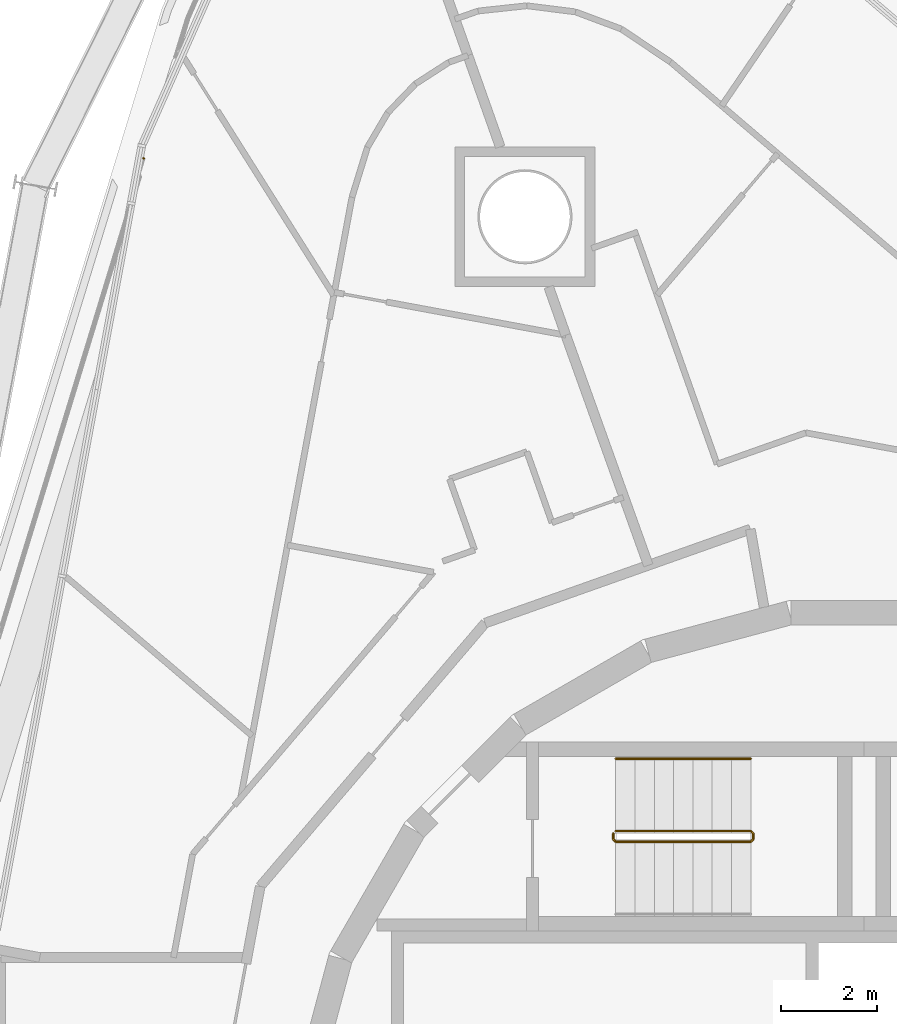
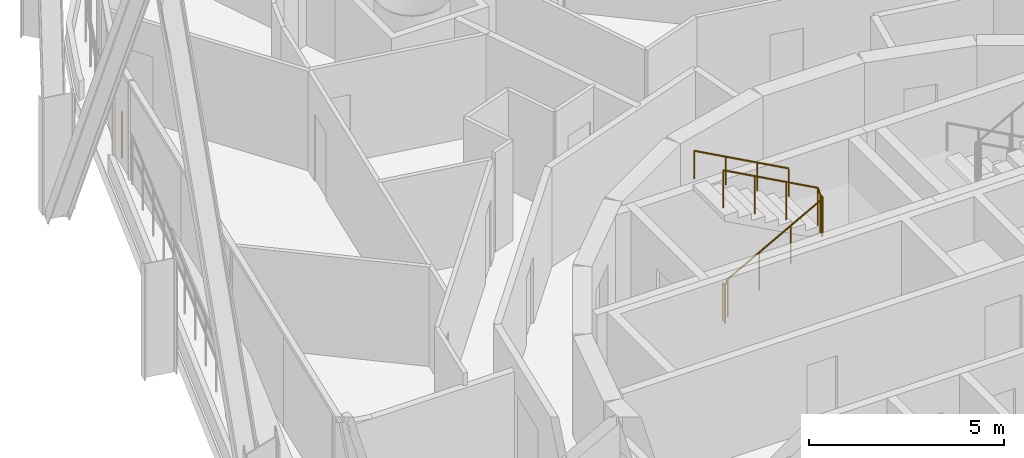
# One storey, part 20 of 25: 3 railings.
"""IFC4 building model written with IfcOpenShell, lengths in metres."""

from ifc_helpers import new_model, si_unit, direction, frame, origin, origin_2d, place, context, subcontext, project, spatial, circle, extrude, material, type_object, element, save


model = new_model("IFC4")

# Units and contexts
model_context = context("Model", 3, precision=1e-05, world=origin(), true_north=direction((0.0, 1.0)))
body_context = subcontext(model_context, "Body", "Model", "MODEL_VIEW")
ifc_project = project(units=[si_unit("LENGTHUNIT", "METRE"), si_unit("AREAUNIT", "SQUARE_METRE"), si_unit("VOLUMEUNIT", "CUBIC_METRE"), si_unit("PLANEANGLEUNIT", "RADIAN"), si_unit("MASSUNIT", "GRAM", prefix="KILO")], contexts=[model_context])

# Site, building, storey
site_placement = place(None, origin())
site = spatial("IfcSite", under=ifc_project, at=site_placement, CompositionType="ELEMENT")
building_placement = place(site_placement, origin())
building = spatial("IfcBuilding", under=site, at=building_placement, Name="Spindle Arch Residences", CompositionType="ELEMENT")
storey_placement = place(building_placement, frame((0.0, 0.0, 151.699951171875)))
storey = spatial("IfcBuildingStorey", under=building, at=storey_placement, Name="L37", CompositionType="ELEMENT", Elevation=151.699951171875)

# Railings
ifc_material_1 = material(Name="Steel, painted", Category="steel")
railing_type_1 = type_object("IfcRailingType", Name="Stair guard 1100", PredefinedType="GUARDRAIL", material=ifc_material_1)
railing_1_placement = place(storey_placement, frame((-5.14990234375, 7.1201171875, 3.5)))
element("IfcRailing", 1, at=railing_1_placement, inside=storey, type_object=railing_type_1, Name="L37 ST2 stair guard 1", PredefinedType="GUARDRAIL", context=body_context, shape_type="SweptSolid", body=[
    extrude(circle(Radius=0.02392578125, at=origin_2d()), frame((0.0, 0.0, 1.17578125), z_axis=(0.877357048833, 0.0, -0.479838106931), x_axis=(0.0, 1.0, 0.0)), (0.0, 0.0, 1.0), 3.191162109375),
    extrude(circle(Radius=0.02392578125, at=origin_2d()), frame((2.7998046875, 0.0, -0.35546875), z_axis=(0.217683172539, -0.217683172539, -0.951434744366), x_axis=(0.707106781187, 0.707106781187, 0.0)), (0.0, 0.0, 1.0), 0.22998046875),
    extrude(circle(Radius=0.02392578125, at=origin_2d()), frame((2.849853515625, -0.050048828125, -0.57421875), z_axis=(0.0, -1.0, 0.0), x_axis=(1.0, 0.0, 0.0)), (0.0, 0.0, 1.0), 0.1201171875),
    extrude(circle(Radius=0.02392578125, at=origin_2d()), frame((2.849853515625, -0.170166015625, -0.57421875), z_axis=(-0.707106781187, -0.707106781187, 0.0), x_axis=(0.707106781187, -0.707106781187, 0.0)), (0.0, 0.0, 1.0), 0.07080078125),
    extrude(circle(Radius=0.02392578125, at=origin_2d()), frame((2.7998046875, -0.22021484375, -0.57421875), z_axis=(-0.877357048833, 0.0, -0.479838106931), x_axis=(0.0, -1.0, 0.0)), (0.0, 0.0, 1.0), 3.191162109375),
    extrude(circle(Radius=0.02392578125, at=origin_2d()), frame((0.0, -0.22021484375, -2.10546875), z_axis=(-0.217683172539, 0.217683172539, -0.951434744366), x_axis=(-0.707106781187, -0.707106781187, 0.0)), (0.0, 0.0, 1.0), 0.22998046875),
    extrude(circle(Radius=0.02392578125, at=origin_2d()), frame((-0.050048828125, -0.170166015625, -2.32421875), z_axis=(0.0, 1.0, 0.0), x_axis=(-1.0, 0.0, 0.0)), (0.0, 0.0, 1.0), 0.1201171875),
    extrude(circle(Radius=0.02099609375, at=origin_2d()), origin(), (0.0, 0.0, 1.0), 1.15185546875),
    extrude(circle(Radius=0.02099609375, at=origin_2d()), frame((0.933349609375, 0.0, -0.510498046875)), (0.0, 0.0, 1.0), 1.15185546875),
    extrude(circle(Radius=0.02099609375, at=origin_2d()), frame((1.866455078125, 0.0, -1.020751953125)), (0.0, 0.0, 1.0), 1.15185546875),
    extrude(circle(Radius=0.02099609375, at=origin_2d()), frame((2.7998046875, 0.0, -1.53125)), (0.0, 0.0, 1.0), 1.15185546875),
    extrude(circle(Radius=0.02099609375, at=origin_2d()), frame((2.849853515625, -0.050048828125, -1.75)), (0.0, 0.0, 1.0), 1.15185546875),
    extrude(circle(Radius=0.02099609375, at=origin_2d()), frame((2.849853515625, -0.170166015625, -1.75)), (0.0, 0.0, 1.0), 1.15185546875),
    extrude(circle(Radius=0.02099609375, at=origin_2d()), frame((2.7998046875, -0.22021484375, -1.75)), (0.0, 0.0, 1.0), 1.15185546875),
    extrude(circle(Radius=0.02099609375, at=origin_2d()), frame((1.866455078125, -0.22021484375, -2.260498046875)), (0.0, 0.0, 1.0), 1.15185546875),
    extrude(circle(Radius=0.02099609375, at=origin_2d()), frame((0.933349609375, -0.22021484375, -2.770751953125)), (0.0, 0.0, 1.0), 1.15185546875),
    extrude(circle(Radius=0.02099609375, at=origin_2d()), frame((0.0, -0.22021484375, -3.28125)), (0.0, 0.0, 1.0), 1.15185546875),
    extrude(circle(Radius=0.02099609375, at=origin_2d()), frame((-0.050048828125, -0.170166015625, -3.5)), (0.0, 0.0, 1.0), 1.15185546875),
    extrude(circle(Radius=0.02099609375, at=origin_2d()), frame((-0.050048828125, -0.050048828125, -3.5)), (0.0, 0.0, 1.0), 1.15185546875),
])
ifc_material_2 = material(Name="Steel, painted", Category="steel")
railing_type_2 = type_object("IfcRailingType", Name="Stair handrail 900", PredefinedType="HANDRAIL", material=ifc_material_2)
railing_2_placement = place(storey_placement, frame((-2.35009765625, 8.6201171875, 1.96875)))
element("IfcRailing", 2, at=railing_2_placement, inside=storey, type_object=railing_type_2, Name="L37 ST2 stair handrail 2", PredefinedType="HANDRAIL", context=body_context, shape_type="SweptSolid", body=[
    extrude(circle(Radius=0.02392578125, at=origin_2d()), frame((0.0, 0.0, 0.8759765625), z_axis=(-0.877357048833, 0.0, 0.479838106931), x_axis=(0.0, -1.0, 0.0)), (0.0, 0.0, 1.0), 3.191162109375),
    extrude(circle(Radius=0.02099609375, at=origin_2d()), origin(), (0.0, 0.0, 1.0), 0.851806640625),
    extrude(circle(Radius=0.02099609375, at=origin_2d()), frame((-0.933349609375, 0.0, 0.510498046875)), (0.0, 0.0, 1.0), 0.851806640625),
    extrude(circle(Radius=0.02099609375, at=origin_2d()), frame((-1.866455078125, 0.0, 1.020751953125)), (0.0, 0.0, 1.0), 0.851806640625),
    extrude(circle(Radius=0.02099609375, at=origin_2d()), frame((-2.7998046875, 0.0, 1.53125)), (0.0, 0.0, 1.0), 0.851806640625),
])
ifc_material_3 = material(Name="Bronze anodised aluminium guard with glass infill", Category="aluminium")
railing_type_3 = type_object("IfcRailingType", Name="Terrace guard 1500", PredefinedType="GUARDRAIL", material=ifc_material_3)
railing_3_placement = place(storey_placement, frame((-14.93359375, 21.068603515625, 0.030029296875)))
element("IfcRailing", 3, at=railing_3_placement, inside=storey, type_object=railing_type_3, Name="Terrace guard L36 5", PredefinedType="GUARDRAIL", context=body_context, shape_type="SweptSolid", body=[
    extrude(circle(Radius=0.02392578125, at=origin_2d()), frame((0.0, 0.0, 1.47607421875), z_axis=(-0.980580675691, 0.196116135138, 0.0), x_axis=(-0.196116135138, -0.980580675691, 0.0)), (0.0, 0.0, 1.0), 0.010009765625),
    extrude(circle(Radius=0.02099609375, at=origin_2d()), origin(), (0.0, 0.0, 1.0), 1.451904296875),
    extrude(circle(Radius=0.02099609375, at=origin_2d()), frame((-0.009765625, 0.001953125, 0.0)), (0.0, 0.0, 1.0), 1.451904296875),
])

save(model, "model.ifc")
